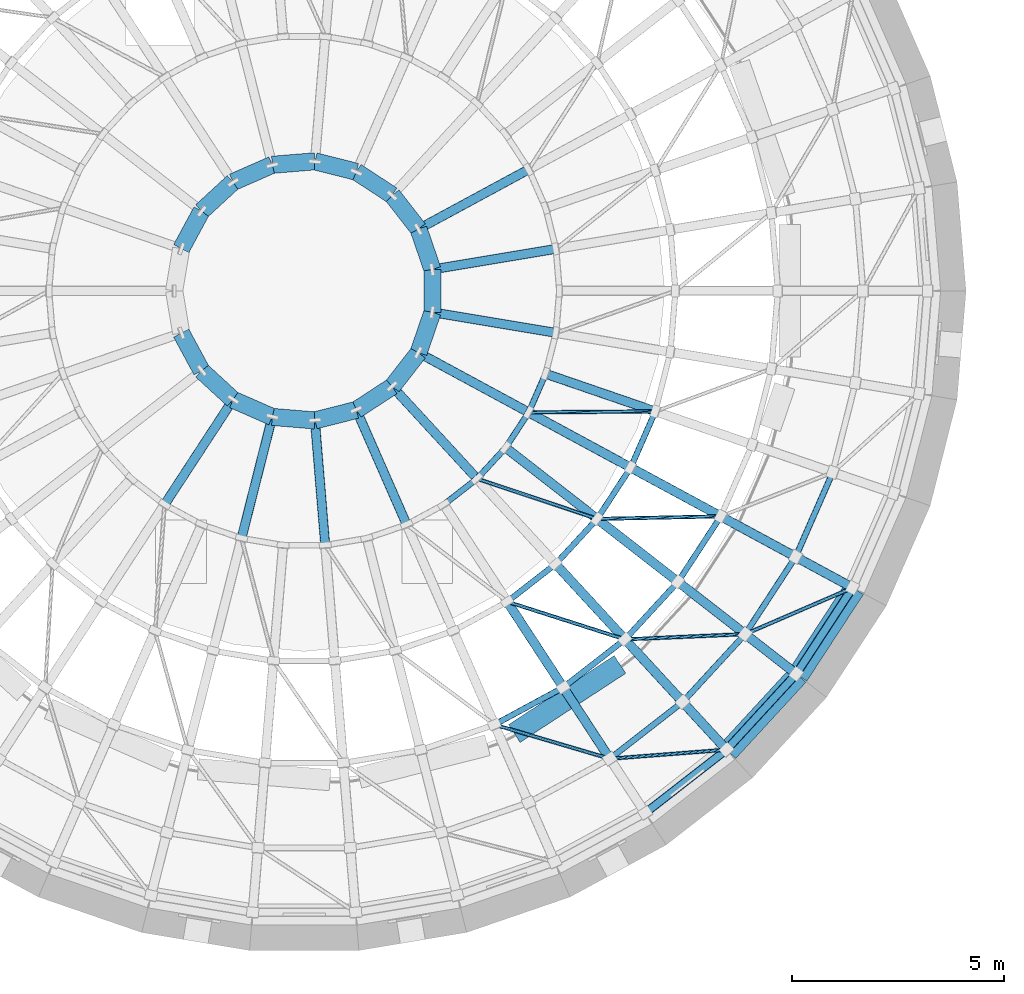
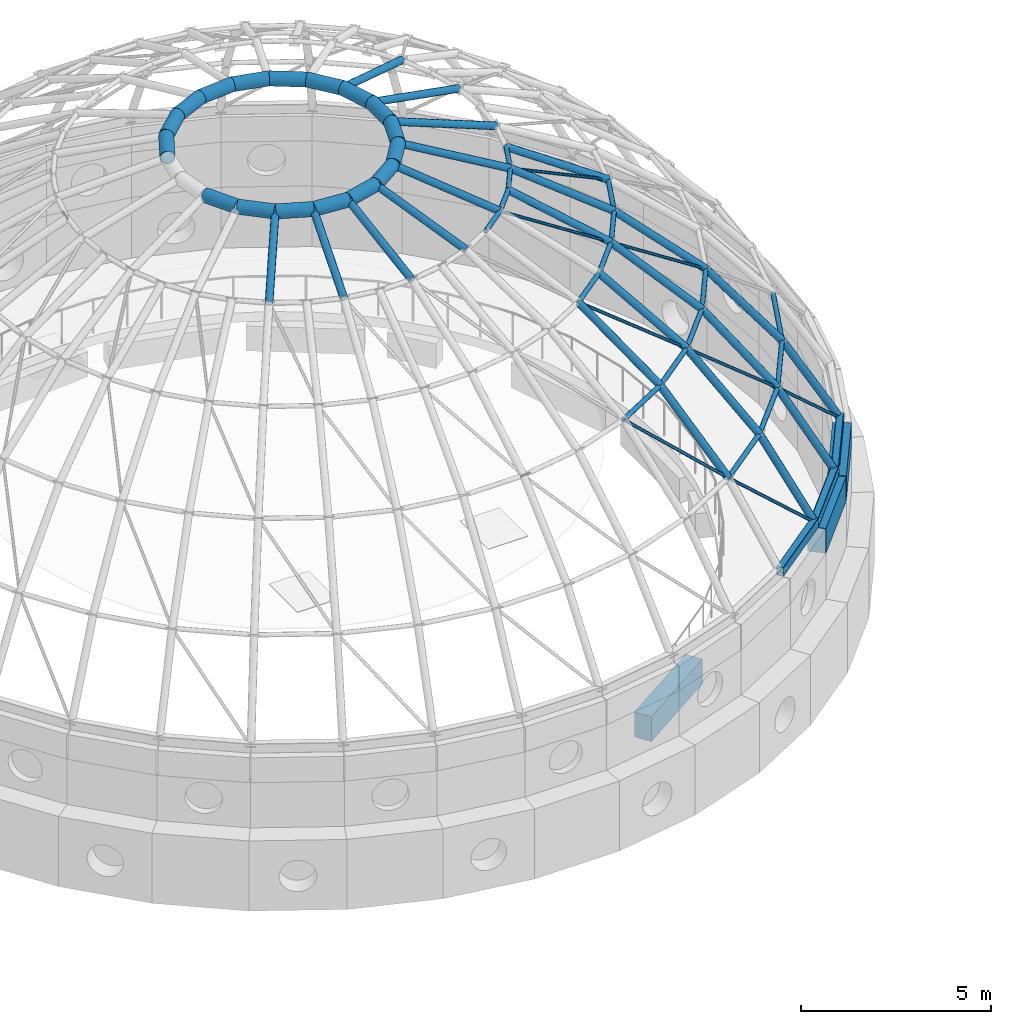
# One storey, part 30 of 98: 67 members, 3 beams.
"""IFC4 building model written with IfcOpenShell, lengths in metres."""

import ifcopenshell
import ifcopenshell.guid

model = None  # the IFC model being written
_history = None  # IfcOwnerHistory: only IFC2X3 demands one
_inside = {}  # id of a spatial element -> (the spatial element, [elements in it])
_under = {}  # id of a project, library or spatial element -> (it, [spatial elements below it])
_declared = {}  # id of a project -> (the project, [libraries it declares])
_typed = {}  # id of a type object -> (the type object, [elements of that type])
_made_of = {}  # id of a material, layer set ... -> (it, [elements and type objects made of it])


def new_model(schema):
    """Start an empty IFC model of exactly this schema.

    Asked for "IFC4X3", IfcOpenShell would pick the latest addendum, in which some entities
    have other attributes; the version numbers below select the first issue.
    IFC2X3 requires an IfcOwnerHistory on every rooted entity: one is made here for all.
    """
    global model, _history
    if schema == "IFC4X3":
        model = ifcopenshell.file(schema_version=(4, 3, 0, 0))
    else:
        model = ifcopenshell.file(schema=schema)
    _inside.clear()
    _under.clear()
    _declared.clear()
    _typed.clear()
    _made_of.clear()
    _history = None
    if model.schema == "IFC2X3":
        org = make("IfcOrganization", Name="unknown")
        user = make(
            "IfcPersonAndOrganization",
            ThePerson=make("IfcPerson", FamilyName="unknown"),
            TheOrganization=org,
        )
        app = make(
            "IfcApplication",
            ApplicationDeveloper=org,
            Version="unknown",
            ApplicationFullName="unknown",
            ApplicationIdentifier="unknown",
        )
        _history = make(
            "IfcOwnerHistory",
            OwningUser=user,
            OwningApplication=app,
            ChangeAction="ADDED",
            CreationDate=0,
        )
    return model


def make(cls, **values):
    """One entity of the class cls with the attributes given. An attribute that is None is left unset."""
    return model.create_entity(
        cls, **{name: value for name, value in values.items() if value is not None}
    )


def rooted(cls, **values):
    """An entity with a GlobalId (a new one), such as an element, a storey or a relation."""
    return make(cls, GlobalId=ifcopenshell.guid.new(), OwnerHistory=_history, **values)


def si_unit(unit_type, name, prefix=None):
    """IfcSIUnit, for example si_unit("LENGTHUNIT", "METRE", prefix="MILLI")."""
    return make("IfcSIUnit", UnitType=unit_type, Prefix=prefix, Name=name)


def assignment(units):
    """IfcUnitAssignment: the units of a project."""
    return None if units is None else make("IfcUnitAssignment", Units=units)


def point(xyz):
    """IfcCartesianPoint."""
    return None if xyz is None else make("IfcCartesianPoint", Coordinates=xyz)


def direction(xyz):
    """IfcDirection."""
    return None if xyz is None else make("IfcDirection", DirectionRatios=xyz)


def frame(location, z_axis=None, x_axis=None):
    """IfcAxis2Placement3D, a coordinate frame: its origin and axes. An axis left out is left unset."""
    return make(
        "IfcAxis2Placement3D",
        Location=point(location),
        Axis=direction(z_axis),
        RefDirection=direction(x_axis),
    )


def frame_2d(location, x_axis=None):
    """IfcAxis2Placement2D, a coordinate frame in the plane: its origin and x axis."""
    return make(
        "IfcAxis2Placement2D", Location=point(location), RefDirection=direction(x_axis)
    )


def origin():
    """The frame at (0, 0, 0) with its axes left unset."""
    return frame((0.0, 0.0, 0.0))


def origin_2d():
    """The frame at (0, 0) in the plane with its x axis left unset."""
    return frame_2d((0.0, 0.0))


def place(relative_to, where):
    """IfcLocalPlacement: puts the frame where relative to a parent placement (None: the world)."""
    return make(
        "IfcLocalPlacement", PlacementRelTo=relative_to, RelativePlacement=where
    )


def context(
    kind, dimensions, precision=None, world=None, true_north=None, identifier=None
):
    """IfcGeometricRepresentationContext, for example the 3D "Model" context."""
    return make(
        "IfcGeometricRepresentationContext",
        ContextIdentifier=identifier,
        ContextType=kind,
        CoordinateSpaceDimension=dimensions,
        Precision=precision,
        WorldCoordinateSystem=world,
        TrueNorth=true_north,
    )


def subcontext(parent, identifier, kind, view, scale=None):
    """IfcGeometricRepresentationSubContext, for example "Body" below "Model"."""
    return make(
        "IfcGeometricRepresentationSubContext",
        ContextIdentifier=identifier,
        ContextType=kind,
        ParentContext=parent,
        TargetScale=scale,
        TargetView=view,
    )


def project(units=None, contexts=None):
    """IfcProject with its units and contexts."""
    return rooted(
        "IfcProject",
        Name="project",
        RepresentationContexts=contexts,
        UnitsInContext=assignment(units),
    )


def spatial(cls, under=None, at=None, **own):
    """A site, building, storey or space (cls), placed at a placement, below another one or the project."""
    s = rooted(cls, ObjectPlacement=at, **own)
    if under is not None:
        _under.setdefault(under.id(), (under, []))[1].append(s)
    return s


def profile(cls, at=None, kind="AREA", **sizes):
    """A parametric profile (cls). Its sizes go by their IFC names, for example OverallWidth=200.0."""
    return make(cls, ProfileType=kind, Position=at, **sizes)


def rectangle(**sizes):
    """IfcRectangleProfileDef."""
    return profile("IfcRectangleProfileDef", **sizes)


def hollow_rectangle(**sizes):
    """IfcRectangleHollowProfileDef."""
    return profile("IfcRectangleHollowProfileDef", **sizes)


def hollow_circle(**sizes):
    """IfcCircleHollowProfileDef."""
    return profile("IfcCircleHollowProfileDef", **sizes)


def extrude(swept, where, along, depth):
    """IfcExtrudedAreaSolid: the profile swept, set in the frame where, extruded along a direction by depth."""
    return make(
        "IfcExtrudedAreaSolid",
        SweptArea=swept,
        Position=where,
        ExtrudedDirection=direction(along),
        Depth=depth,
    )


def shape(context_of_items, identifier, shape_type, items):
    """IfcShapeRepresentation: the items that make up one representation, for example the "Body"."""
    return make(
        "IfcShapeRepresentation",
        ContextOfItems=context_of_items,
        RepresentationIdentifier=identifier,
        RepresentationType=shape_type,
        Items=items,
    )


def material(Name=None, Category=None):
    """IfcMaterial."""
    return make("IfcMaterial", Name=Name, Category=Category)


def material_profile(
    of_material, cross_section, Name=None, Category=None, Priority=None
):
    """IfcMaterialProfile: a cross section and its material."""
    return make(
        "IfcMaterialProfile",
        Name=Name,
        Material=of_material,
        Profile=cross_section,
        Priority=Priority,
        Category=Category,
    )


def profile_set(profiles, Name=None, composite=None):
    """IfcMaterialProfileSet."""
    return make(
        "IfcMaterialProfileSet",
        Name=Name,
        MaterialProfiles=profiles,
        CompositeProfile=composite,
    )


def made_of(thing, what):
    """Note that an element or type object is made of a material, layer set ...; save() writes the relation."""
    if what is not None:
        _made_of.setdefault(what.id(), (what, []))[1].append(thing)
    return thing


def type_object(cls, material=None, **own):
    """A type object (cls), such as IfcWallType, which elements share."""
    return made_of(rooted(cls, **own), material)


def element(
    cls,
    number,
    at=None,
    inside=None,
    cuts=None,
    type_object=None,
    material=None,
    context=None,
    identifier="Body",
    shape_type=None,
    held_by="IfcProductDefinitionShape",
    body=None,
    shapes=None,
    **own,
):
    """One element of the class cls, such as IfcWall. Its Tag is "e" and its number.

    at: its placement. inside: the storey or other place that contains it. cuts: it is an
    opening in that element (IfcRelVoidsElement). A single representation is given by context,
    identifier, shape_type and body (its items); several are given by shapes. held_by: the class
    of the entity that holds the representations. save() writes the other relations.
    """
    e = rooted(cls, Tag="e%d" % number, ObjectPlacement=at, **own)
    if body is not None:
        shapes = [shape(context, identifier, shape_type, body)]
    if shapes is not None:
        e.Representation = make(held_by, Representations=shapes)
    if inside is not None:
        _inside.setdefault(inside.id(), (inside, []))[1].append(e)
    if cuts is not None:
        rooted(
            "IfcRelVoidsElement", RelatingBuildingElement=cuts, RelatedOpeningElement=e
        )
    if type_object is not None:
        _typed.setdefault(type_object.id(), (type_object, []))[1].append(e)
    return made_of(e, material)


def aggregate(whole, parts):
    """IfcRelAggregates: a whole, such as a stair, and the parts it consists of."""
    return rooted("IfcRelAggregates", RelatingObject=whole, RelatedObjects=parts)


def save(model, path):
    """Write the relations noted so far, then the file.

    IfcRelAggregates (storeys below a building ...), IfcRelContainedInSpatialStructure (elements
    in a storey), IfcRelDefinesByType, IfcRelAssociatesMaterial and IfcRelDeclares: one each for
    every whole, place, type object, material and project.
    """
    for whole, parts in _under.values():
        aggregate(whole, parts)
    for where, things in _inside.values():
        rooted(
            "IfcRelContainedInSpatialStructure",
            RelatedElements=things,
            RelatingStructure=where,
        )
    for kind, things in _typed.values():
        rooted("IfcRelDefinesByType", RelatedObjects=things, RelatingType=kind)
    for what, things in _made_of.values():
        rooted("IfcRelAssociatesMaterial", RelatedObjects=things, RelatingMaterial=what)
    for by, libraries in _declared.values():
        rooted("IfcRelDeclares", RelatingContext=by, RelatedDefinitions=libraries)
    model.write(path)


model = new_model("IFC4")

# Units and contexts
model_context = context("Model", 3, precision=1e-05, world=origin(), true_north=direction((0.0, 1.0)))
body_context = subcontext(model_context, "Body", "Model", "MODEL_VIEW")
ifc_project = project(units=[si_unit("LENGTHUNIT", "METRE"), si_unit("AREAUNIT", "SQUARE_METRE"), si_unit("VOLUMEUNIT", "CUBIC_METRE"), si_unit("PLANEANGLEUNIT", "RADIAN"), si_unit("MASSUNIT", "GRAM", prefix="KILO")], contexts=[model_context])

# Site, building, storey
site_placement = place(None, origin())
site = spatial("IfcSite", under=ifc_project, at=site_placement, CompositionType="ELEMENT")
building_placement = place(site_placement, origin())
building = spatial("IfcBuilding", under=site, at=building_placement, Name="Sun Court Science Centre", CompositionType="ELEMENT")
storey_placement = place(building_placement, frame((0.0, 0.0, 15.75)))
storey = spatial("IfcBuildingStorey", under=building, at=storey_placement, Name="L03", CompositionType="ELEMENT", Elevation=15.75)

# Members
ifc_material_1 = material(Name="Steel S355", Category="steel")
ifc_material_profile_1 = material_profile(ifc_material_1, hollow_circle(Radius=0.04443359375, WallThickness=0.0048828125, at=origin_2d()), Name="CHS 88.9x5")
ifc_profile_set_1 = profile_set([ifc_material_profile_1], Name="Steel S355")
member_type_1 = type_object("IfcMemberType", Name="Dome brace CHS 88.9x5", PredefinedType="BRACE", material=ifc_profile_set_1)
for number, where, z_axis, x_axis, name in (
    (1, (55.075439453125, 92.372802734375, 12.534912109375), (0.856626361031, -0.286872285501, -0.428830466966), (0.317552638527, 0.948240645493, 0.0), "Dome brace 2.33"),
    (2, (56.292236328125, 93.93603515625, 12.534912109375), (0.903353525791, 0.006872699435, -0.428841664771), (-0.007607764122, 0.999971060544, 0.0), "Dome brace 2.35"),
):
    element("IfcMember", number, at=place(storey_placement, frame(where, z_axis=z_axis, x_axis=x_axis)), inside=storey, type_object=member_type_1, Name=name, PredefinedType="BRACE", context=body_context, shape_type="SweptSolid", body=[
        extrude(hollow_circle(Radius=0.04443359375, WallThickness=0.0048828125, at=origin_2d()), origin(), (0.0, 0.0, 1.0), 3.3037109375),
    ])
for number, where, z_axis, x_axis, name in (
    (3, (55.7861328125, 89.47412109375, 11.1181640625), (0.796552743794, -0.2549613365, -0.54817738301), (0.30484563745, 0.95240177306, 0.0), "Dome brace 3.32"),
    (4, (57.905517578125, 91.425048828125, 11.1181640625), (0.836187702943, 0.017515452512, -0.548163601829), (-0.020942201258, 0.999780688054, 0.0), "Dome brace 3.34"),
):
    element("IfcMember", number, at=place(storey_placement, frame(where, z_axis=z_axis, x_axis=x_axis)), inside=storey, type_object=member_type_1, Name=name, PredefinedType="BRACE", context=body_context, shape_type="SweptSolid", body=[
        extrude(hollow_circle(Radius=0.04443359375, WallThickness=0.0048828125, at=origin_2d()), origin(), (0.0, 0.0, 1.0), 3.484619140625),
    ])
for number, where, z_axis, x_axis, name in (
    (5, (55.48486328125, 86.575439453125, 9.2080078125), (0.740431066236, -0.218559776083, -0.635604798936), (0.283103164941, 0.959089462981, 0.0), "Dome brace 4.31"),
    (6, (58.561767578125, 88.585693359375, 9.2080078125), (0.771276789923, 0.033701398991, -0.635607055524), (-0.043653941493, 0.999046712317, 0.0), "Dome brace 4.33"),
):
    element("IfcMember", number, at=place(storey_placement, frame(where, z_axis=z_axis, x_axis=x_axis)), inside=storey, type_object=member_type_1, Name=name, PredefinedType="BRACE", context=body_context, shape_type="SweptSolid", body=[
        extrude(hollow_circle(Radius=0.04443359375, WallThickness=0.0048828125, at=origin_2d()), origin(), (0.0, 0.0, 1.0), 3.6728515625),
    ])
for number, where, z_axis, x_axis, name in (
    (7, (58.204345703125, 85.772705078125, 6.87353515625), (0.735727898032, 0.057001282835, -0.674874294823), (-0.077244553566, 0.997012175926, 0.0), "Dome brace 5.32"),
    (8, (61.39453125, 88.70947265625, 6.87353515625), (0.677360967404, 0.292778733164, -0.674879791699), (-0.396758028635, 0.917923235741, 0.0), "Dome brace 5.34"),
):
    element("IfcMember", number, at=place(storey_placement, frame(where, z_axis=z_axis, x_axis=x_axis)), inside=storey, type_object=member_type_1, Name=name, PredefinedType="BRACE", context=body_context, shape_type="SweptSolid", body=[
        extrude(hollow_circle(Radius=0.04443359375, WallThickness=0.0048828125, at=origin_2d()), origin(), (0.0, 0.0, 1.0), 3.739013671875),
    ])
ifc_material_2 = material(Name="Steel S355", Category="steel")
ifc_material_profile_2 = material_profile(ifc_material_2, hollow_circle(Radius=0.203125, WallThickness=0.012451171875, at=origin_2d()), Name="CHS 406.4x12.5")
ifc_profile_set_2 = profile_set([ifc_material_profile_2], Name="Steel S355")
member_type_2 = type_object("IfcMemberType", Name="Dome compression ring CHS 406.4x12.5", PredefinedType="MEMBER", material=ifc_profile_set_2)
for number, where, z_axis, x_axis, name in (
    (9, (54.022705078125, 97.304443359375, 13.406005859375), (-0.324565639132, 0.945863175039, 0.0), (-0.945863175039, -0.324565639132, 0.0), "Dome compression ring 1"),
    (10, (53.6953125, 98.258544921875, 13.406005859375), (-0.614191888411, 0.789156717142, 0.0), (-0.789156717142, -0.614191888411, 0.0), "Dome compression ring 2"),
):
    element("IfcMember", number, at=place(storey_placement, frame(where, z_axis=z_axis, x_axis=x_axis)), inside=storey, type_object=member_type_2, Name=name, PredefinedType="MEMBER", context=body_context, shape_type="SweptSolid", body=[
        extrude(hollow_circle(Radius=0.203125, WallThickness=0.012451171875, at=origin_2d()), origin(), (0.0, 0.0, 1.0), 1.0087890625),
    ])
member_1_placement = place(storey_placement, frame((53.07568359375, 99.0546875, 13.406005859375), z_axis=(-0.837225286377, 0.546858135032, 0.0), x_axis=(-0.546858135032, -0.837225286377, 0.0)))
element("IfcMember", 11, at=member_1_placement, inside=storey, type_object=member_type_2, Name="Dome compression ring 3", PredefinedType="MEMBER", context=body_context, shape_type="SweptSolid", body=[
    extrude(hollow_circle(Radius=0.203125, WallThickness=0.012451171875, at=origin_2d()), origin(), (0.0, 0.0, 1.0), 1.009033203125),
])
member_2_placement = place(storey_placement, frame((52.23095703125, 99.6064453125, 13.406005859375), z_axis=(-0.969412000632, 0.245439143231, 0.0), x_axis=(-0.245439143231, -0.969412000632, 0.0)))
element("IfcMember", 12, at=member_2_placement, inside=storey, type_object=member_type_2, Name="Dome compression ring 4", PredefinedType="MEMBER", context=body_context, shape_type="SweptSolid", body=[
    extrude(hollow_circle(Radius=0.203125, WallThickness=0.012451171875, at=origin_2d()), origin(), (0.0, 0.0, 1.0), 1.008544921875),
])
member_3_placement = place(storey_placement, frame((51.253173828125, 99.85400390625, 13.406005859375), z_axis=(-0.996589016734, -0.082524734023, 0.0), x_axis=(0.082524734023, -0.996589016734, 0.0)))
element("IfcMember", 13, at=member_3_placement, inside=storey, type_object=member_type_2, Name="Dome compression ring 5", PredefinedType="MEMBER", context=body_context, shape_type="SweptSolid", body=[
    extrude(hollow_circle(Radius=0.203125, WallThickness=0.012451171875, at=origin_2d()), origin(), (0.0, 0.0, 1.0), 1.0087890625),
])
member_4_placement = place(storey_placement, frame((50.247802734375, 99.770751953125, 13.406005859375), z_axis=(-0.915796015604, -0.401643695087, 0.0), x_axis=(0.401643695087, -0.915796015604, 0.0)))
element("IfcMember", 14, at=member_4_placement, inside=storey, type_object=member_type_2, Name="Dome compression ring 6", PredefinedType="MEMBER", context=body_context, shape_type="SweptSolid", body=[
    extrude(hollow_circle(Radius=0.203125, WallThickness=0.012451171875, at=origin_2d()), origin(), (0.0, 0.0, 1.0), 1.009033203125),
])
for number, where, z_axis, x_axis, name in (
    (15, (49.32373046875, 99.365478515625, 13.406005859375), (-0.73578627734, -0.677213817105, 0.0), (0.677213817105, -0.73578627734, 0.0), "Dome compression ring 7"),
    (16, (48.58154296875, 98.682373046875, 13.406005859375), (-0.475830863165, -0.879536804039, 0.0), (0.879536804039, -0.475830863165, 0.0), "Dome compression ring 8"),
    (17, (48.1015625, 95.804931640625, 13.406005859375), (0.475830863165, -0.879536804039, 0.0), (0.879536804039, 0.475830863165, 0.0), "Dome compression ring 11"),
    (18, (48.58154296875, 94.917724609375, 13.406005859375), (0.735665683142, -0.67734481813, 0.0), (0.67734481813, 0.735665683142, 0.0), "Dome compression ring 12"),
):
    element("IfcMember", number, at=place(storey_placement, frame(where, z_axis=z_axis, x_axis=x_axis)), inside=storey, type_object=member_type_2, Name=name, PredefinedType="MEMBER", context=body_context, shape_type="SweptSolid", body=[
        extrude(hollow_circle(Radius=0.203125, WallThickness=0.012451171875, at=origin_2d()), origin(), (0.0, 0.0, 1.0), 1.0087890625),
    ])
member_5_placement = place(storey_placement, frame((49.32373046875, 94.234375, 13.406005859375), z_axis=(0.915796015604, -0.401643695087, 0.0), x_axis=(0.401643695087, 0.915796015604, 0.0)))
element("IfcMember", 19, at=member_5_placement, inside=storey, type_object=member_type_2, Name="Dome compression ring 13", PredefinedType="MEMBER", context=body_context, shape_type="SweptSolid", body=[
    extrude(hollow_circle(Radius=0.203125, WallThickness=0.012451171875, at=origin_2d()), origin(), (0.0, 0.0, 1.0), 1.009033203125),
])
for number, where, z_axis, x_axis, name in (
    (20, (50.247802734375, 93.8291015625, 13.406005859375), (0.996589016734, -0.082524734023, 0.0), (0.082524734023, 0.996589016734, 0.0), "Dome compression ring 14"),
    (21, (51.253173828125, 93.745849609375, 13.406005859375), (0.969354385911, 0.245666592185, 0.0), (-0.245666592185, 0.969354385911, 0.0), "Dome compression ring 15"),
):
    element("IfcMember", number, at=place(storey_placement, frame(where, z_axis=z_axis, x_axis=x_axis)), inside=storey, type_object=member_type_2, Name=name, PredefinedType="MEMBER", context=body_context, shape_type="SweptSolid", body=[
        extrude(hollow_circle(Radius=0.203125, WallThickness=0.012451171875, at=origin_2d()), origin(), (0.0, 0.0, 1.0), 1.0087890625),
    ])
member_6_placement = place(storey_placement, frame((52.23095703125, 93.99365234375, 13.406005859375), z_axis=(0.837225286377, 0.546858135032, 0.0), x_axis=(-0.546858135032, 0.837225286377, 0.0)))
element("IfcMember", 22, at=member_6_placement, inside=storey, type_object=member_type_2, Name="Dome compression ring 16", PredefinedType="MEMBER", context=body_context, shape_type="SweptSolid", body=[
    extrude(hollow_circle(Radius=0.203125, WallThickness=0.012451171875, at=origin_2d()), origin(), (0.0, 0.0, 1.0), 1.009033203125),
])
member_7_placement = place(storey_placement, frame((53.07568359375, 94.54541015625, 13.406005859375), z_axis=(0.614309199106, 0.789065401531, 0.0), x_axis=(-0.789065401531, 0.614309199106, 0.0)))
element("IfcMember", 23, at=member_7_placement, inside=storey, type_object=member_type_2, Name="Dome compression ring 17", PredefinedType="MEMBER", context=body_context, shape_type="SweptSolid", body=[
    extrude(hollow_circle(Radius=0.203125, WallThickness=0.012451171875, at=origin_2d()), origin(), (0.0, 0.0, 1.0), 1.008544921875),
])
member_8_placement = place(storey_placement, frame((53.6953125, 95.34130859375, 13.406005859375), z_axis=(0.324491352433, 0.945888662685, 0.0), x_axis=(-0.945888662685, 0.324491352433, 0.0)))
element("IfcMember", 24, at=member_8_placement, inside=storey, type_object=member_type_2, Name="Dome compression ring 18", PredefinedType="MEMBER", context=body_context, shape_type="SweptSolid", body=[
    extrude(hollow_circle(Radius=0.203125, WallThickness=0.012451171875, at=origin_2d()), origin(), (0.0, 0.0, 1.0), 1.009033203125),
])
member_9_placement = place(storey_placement, frame((54.022705078125, 96.295654296875, 13.406005859375), z_axis=(0.0, 1.0, 0.0), x_axis=(-1.0, 0.0, 0.0)))
element("IfcMember", 25, at=member_9_placement, inside=storey, type_object=member_type_2, Name="Dome compression ring 19", PredefinedType="MEMBER", context=body_context, shape_type="SweptSolid", body=[
    extrude(hollow_circle(Radius=0.203125, WallThickness=0.012451171875, at=origin_2d()), origin(), (0.0, 0.0, 1.0), 1.0087890625),
])
ifc_material_3 = material(Name="Steel S355", Category="steel")
ifc_material_profile_3 = material_profile(ifc_material_3, hollow_circle(Radius=0.109619140625, WallThickness=0.010009765625, at=origin_2d()), Name="CHS 219.1x10")
ifc_profile_set_3 = profile_set([ifc_material_profile_3], Name="Steel S355")
member_type_3 = type_object("IfcMemberType", Name="Dome rib CHS 219.1x10", PredefinedType="RAFTER", material=ifc_profile_set_3)
for number, where, z_axis, x_axis, name in (
    (26, (56.935302734375, 97.79052734375, 12.534912109375), (-0.946052218548, -0.157886837144, 0.282943362597), (0.164613501399, -0.986358147509, 0.0), "Dome rib 1"),
    (27, (56.292236328125, 99.6640625, 12.534912109375), (-0.84351740203, -0.456531887138, 0.28294350761), (0.475982147425, -0.879454942185, 0.0), "Dome rib 3"),
    (28, (47.708740234375, 91.762451171875, 12.534912109375), (0.524596243364, 0.802953433721, 0.282956824841), (-0.837166200016, 0.54694858401, 0.0), "Dome rib 25"),
    (29, (49.522705078125, 90.966796875, 12.534912109375), (0.235533580489, 0.929762861163, 0.28295751353), (-0.969379012018, 0.245569401714, 0.0), "Dome rib 27"),
    (30, (51.496826171875, 90.80322265625, 12.534912109375), (-0.079146190604, 0.955860756867, 0.28295952713), (-0.996589526977, -0.082518571967, 0.0), "Dome rib 29"),
):
    element("IfcMember", number, at=place(storey_placement, frame(where, z_axis=z_axis, x_axis=x_axis)), inside=storey, type_object=member_type_3, Name=name, PredefinedType="RAFTER", context=body_context, shape_type="SweptSolid", body=[
        extrude(hollow_circle(Radius=0.109619140625, WallThickness=0.010009765625, at=origin_2d()), origin(), (0.0, 0.0, 1.0), 3.07861328125),
    ])
member_10_placement = place(storey_placement, frame((53.417236328125, 91.289306640625, 12.534912109375), z_axis=(-0.38529477802, 0.878351565369, 0.282924833911), x_axis=(-0.915767934196, -0.401707717997, 0.0)))
element("IfcMember", 31, at=member_10_placement, inside=storey, type_object=member_type_3, Name="Dome rib 31", PredefinedType="RAFTER", context=body_context, shape_type="SweptSolid", body=[
    extrude(hollow_circle(Radius=0.109619140625, WallThickness=0.010009765625, at=origin_2d()), origin(), (0.0, 0.0, 1.0), 3.078857421875),
])
member_11_placement = place(storey_placement, frame((58.204345703125, 85.772705078125, 6.87353515625), z_axis=(-0.35653183368, 0.545820420646, 0.758264544851), x_axis=(-0.837215950947, -0.546872427061, 0.0)))
element("IfcMember", 32, at=member_11_placement, inside=storey, type_object=member_type_3, Name="Dome rib 32", PredefinedType="RAFTER", context=body_context, shape_type="SweptSolid", body=[
    extrude(hollow_circle(Radius=0.109619140625, WallThickness=0.010009765625, at=origin_2d()), origin(), (0.0, 0.0, 1.0), 3.07861328125),
])
member_12_placement = place(storey_placement, frame((57.106689453125, 87.453125, 9.2080078125), z_axis=(-0.428964919787, 0.656493179145, 0.620488358737), x_axis=(-0.837133476349, -0.546998667984, 0.0)))
element("IfcMember", 33, at=member_12_placement, inside=storey, type_object=member_type_3, Name="Dome rib 32", PredefinedType="RAFTER", context=body_context, shape_type="SweptSolid", body=[
    extrude(hollow_circle(Radius=0.109619140625, WallThickness=0.010009765625, at=origin_2d()), origin(), (0.0, 0.0, 1.0), 3.078369140625),
])
member_13_placement = place(storey_placement, frame((60.955322265625, 85.98583984375, 4.35009765625), z_axis=(-0.35065000657, 0.38078140468, 0.855599260602), x_axis=(-0.735612207426, -0.677402893621, 0.0)))
element("IfcMember", 34, at=member_13_placement, inside=storey, type_object=member_type_3, Name="Dome rib 33", PredefinedType="RAFTER", context=body_context, shape_type="SweptSolid", body=[
    extrude(hollow_circle(Radius=0.109619140625, WallThickness=0.010009765625, at=origin_2d()), origin(), (0.0, 0.0, 1.0), 2.94921875),
])
member_14_placement = place(storey_placement, frame((59.921142578125, 87.10888671875, 6.87353515625), z_axis=(-0.441536594172, 0.479679392627, 0.758256629576), x_axis=(-0.735754018948, -0.677248863862, 0.0)))
element("IfcMember", 35, at=member_14_placement, inside=storey, type_object=member_type_3, Name="Dome rib 33", PredefinedType="RAFTER", context=body_context, shape_type="SweptSolid", body=[
    extrude(hollow_circle(Radius=0.109619140625, WallThickness=0.010009765625, at=origin_2d()), origin(), (0.0, 0.0, 1.0), 3.078857421875),
])
member_15_placement = place(storey_placement, frame((58.561767578125, 88.585693359375, 9.2080078125), z_axis=(-0.531122664387, 0.576962428463, 0.62050227358), x_axis=(-0.73572941785, -0.677275589188, 0.0)))
element("IfcMember", 36, at=member_15_placement, inside=storey, type_object=member_type_3, Name="Dome rib 33", PredefinedType="RAFTER", context=body_context, shape_type="SweptSolid", body=[
    extrude(hollow_circle(Radius=0.109619140625, WallThickness=0.010009765625, at=origin_2d()), origin(), (0.0, 0.0, 1.0), 3.078369140625),
])
member_16_placement = place(storey_placement, frame((55.075439453125, 92.372802734375, 12.534912109375), z_axis=(-0.649557290074, 0.705702640015, 0.282947187277), x_axis=(-0.735769499696, -0.6772320454, 0.0)))
element("IfcMember", 37, at=member_16_placement, inside=storey, type_object=member_type_3, Name="Dome rib 33", PredefinedType="RAFTER", context=body_context, shape_type="SweptSolid", body=[
    extrude(hollow_circle(Radius=0.109619140625, WallThickness=0.010009765625, at=origin_2d()), origin(), (0.0, 0.0, 1.0), 3.07861328125),
])
member_17_placement = place(storey_placement, frame((62.599365234375, 87.771728515625, 4.35009765625), z_axis=(-0.408506891912, 0.31794832256, 0.855588092158), x_axis=(-0.614206271874, -0.789145522442, 0.0)))
element("IfcMember", 38, at=member_17_placement, inside=storey, type_object=member_type_3, Name="Dome rib 34", PredefinedType="RAFTER", context=body_context, shape_type="SweptSolid", body=[
    extrude(hollow_circle(Radius=0.109619140625, WallThickness=0.010009765625, at=origin_2d()), origin(), (0.0, 0.0, 1.0), 2.949462890625),
])
member_18_placement = place(storey_placement, frame((61.39453125, 88.70947265625, 6.87353515625), z_axis=(-0.514427468943, 0.400471515055, 0.75827893603), x_axis=(-0.614285827395, -0.789083596498, 0.0)))
element("IfcMember", 39, at=member_18_placement, inside=storey, type_object=member_type_3, Name="Dome rib 34", PredefinedType="RAFTER", context=body_context, shape_type="SweptSolid", body=[
    extrude(hollow_circle(Radius=0.109619140625, WallThickness=0.010009765625, at=origin_2d()), origin(), (0.0, 0.0, 1.0), 3.07861328125),
])
member_19_placement = place(storey_placement, frame((59.810791015625, 89.9423828125, 9.2080078125), z_axis=(-0.618899946723, 0.481622165101, 0.620486056274), x_axis=(-0.614143624893, -0.789194277731, 0.0)))
element("IfcMember", 40, at=member_19_placement, inside=storey, type_object=member_type_3, Name="Dome rib 34", PredefinedType="RAFTER", context=body_context, shape_type="SweptSolid", body=[
    extrude(hollow_circle(Radius=0.109619140625, WallThickness=0.010009765625, at=origin_2d()), origin(), (0.0, 0.0, 1.0), 3.078369140625),
])
member_20_placement = place(storey_placement, frame((57.905517578125, 91.425048828125, 11.1181640625), z_axis=(-0.70060564, 0.545338425159, 0.46017142376), x_axis=(-0.614237379486, -0.789121309839, 0.0)))
element("IfcMember", 41, at=member_20_placement, inside=storey, type_object=member_type_3, Name="Dome rib 34", PredefinedType="RAFTER", context=body_context, shape_type="SweptSolid", body=[
    extrude(hollow_circle(Radius=0.109619140625, WallThickness=0.010009765625, at=origin_2d()), origin(), (0.0, 0.0, 1.0), 3.078857421875),
])
member_21_placement = place(storey_placement, frame((63.92724609375, 89.80419921875, 4.35009765625), z_axis=(-0.455277621953, 0.246346582351, 0.855590818273), x_axis=(-0.475891590602, -0.879503947685, 0.0)))
element("IfcMember", 42, at=member_21_placement, inside=storey, type_object=member_type_3, Name="Dome rib 35", PredefinedType="RAFTER", context=body_context, shape_type="SweptSolid", body=[
    extrude(hollow_circle(Radius=0.109619140625, WallThickness=0.010009765625, at=origin_2d()), origin(), (0.0, 0.0, 1.0), 2.949462890625),
])
member_22_placement = place(storey_placement, frame((62.58447265625, 90.53076171875, 6.87353515625), z_axis=(-0.573346885255, 0.310305167635, 0.758277028604), x_axis=(-0.475977468556, -0.879457474485, 0.0)))
element("IfcMember", 43, at=member_22_placement, inside=storey, type_object=member_type_3, Name="Dome rib 35", PredefinedType="RAFTER", context=body_context, shape_type="SweptSolid", body=[
    extrude(hollow_circle(Radius=0.109619140625, WallThickness=0.010009765625, at=origin_2d()), origin(), (0.0, 0.0, 1.0), 3.07861328125),
])
member_23_placement = place(storey_placement, frame((60.8193359375, 91.486083984375, 9.2080078125), z_axis=(-0.689718653695, 0.37321099049, 0.620485080661), x_axis=(-0.475901944609, -0.879498345148, 0.0)))
element("IfcMember", 44, at=member_23_placement, inside=storey, type_object=member_type_3, Name="Dome rib 35", PredefinedType="RAFTER", context=body_context, shape_type="SweptSolid", body=[
    extrude(hollow_circle(Radius=0.109619140625, WallThickness=0.010009765625, at=origin_2d()), origin(), (0.0, 0.0, 1.0), 3.078369140625),
])
for number, where, z_axis, x_axis, name in (
    (45, (58.696044921875, 92.635009765625, 11.1181640625), (-0.780797426189, 0.422594910031, 0.460183573449), (-0.475989622819, -0.87945089628, 0.0), "Dome rib 35"),
    (46, (56.292236328125, 93.93603515625, 12.534912109375), (-0.843547938998, 0.456469111298, 0.282953750714), (-0.475918196437, -0.87948955099, 0.0), "Dome rib 35"),
    (47, (59.276611328125, 93.958740234375, 11.1181640625), (-0.839722834307, 0.288260695316, 0.460186193926), (-0.324682825787, -0.945822955229, 0.0), "Dome rib 36"),
    (48, (56.935302734375, 95.8095703125, 12.534912109375), (-0.946052218548, 0.157886837144, 0.282943362597), (-0.164613501399, -0.986358147509, 0.0), "Dome rib 37"),
):
    element("IfcMember", number, at=place(storey_placement, frame(where, z_axis=z_axis, x_axis=x_axis)), inside=storey, type_object=member_type_3, Name=name, PredefinedType="RAFTER", context=body_context, shape_type="SweptSolid", body=[
        extrude(hollow_circle(Radius=0.109619140625, WallThickness=0.010009765625, at=origin_2d()), origin(), (0.0, 0.0, 1.0), 3.07861328125),
    ])
ifc_material_4 = material(Name="Steel S355", Category="steel")
ifc_material_profile_4 = material_profile(ifc_material_4, hollow_circle(Radius=0.06982421875, WallThickness=0.00634765625, at=origin_2d()), Name="CHS 139.7x6.3")
ifc_profile_set_4 = profile_set([ifc_material_profile_4], Name="Steel S355")
member_type_4 = type_object("IfcMemberType", Name="Dome ring CHS 139.7x6.3", PredefinedType="MEMBER", material=ifc_profile_set_4)
member_24_placement = place(storey_placement, frame((55.48486328125, 86.575439453125, 9.2080078125), z_axis=(0.879474406293, 0.475946182541, 0.0), x_axis=(-0.475946182541, 0.879474406293, 0.0)))
element("IfcMember", 49, at=member_24_placement, inside=storey, type_object=member_type_4, Name="Dome ring 4 chord 31", PredefinedType="MEMBER", context=body_context, shape_type="SweptSolid", body=[
    extrude(hollow_circle(Radius=0.06982421875, WallThickness=0.00634765625, at=origin_2d()), origin(), (0.0, 0.0, 1.0), 1.843994140625),
])
member_25_placement = place(storey_placement, frame((54.291259765625, 91.762451171875, 12.534912109375), z_axis=(0.78914050331, 0.614212720509, 0.0), x_axis=(-0.614212720509, 0.78914050331, 0.0)))
element("IfcMember", 50, at=member_25_placement, inside=storey, type_object=member_type_4, Name="Dome ring 2 chord 32", PredefinedType="MEMBER", context=body_context, shape_type="SweptSolid", body=[
    extrude(hollow_circle(Radius=0.06982421875, WallThickness=0.00634765625, at=origin_2d()), origin(), (0.0, 0.0, 1.0), 0.99365234375),
])
member_26_placement = place(storey_placement, frame((55.7861328125, 89.47412109375, 11.1181640625), z_axis=(0.789170274405, 0.614174468694, 0.0), x_axis=(-0.614174468694, 0.789170274405, 0.0)))
element("IfcMember", 51, at=member_26_placement, inside=storey, type_object=member_type_4, Name="Dome ring 3 chord 32", PredefinedType="MEMBER", context=body_context, shape_type="SweptSolid", body=[
    extrude(hollow_circle(Radius=0.06982421875, WallThickness=0.00634765625, at=origin_2d()), origin(), (0.0, 0.0, 1.0), 1.4453125),
])
member_27_placement = place(storey_placement, frame((57.106689453125, 87.453125, 9.2080078125), z_axis=(0.78913115247, 0.61422473428, 0.0), x_axis=(-0.61422473428, 0.78913115247, 0.0)))
element("IfcMember", 52, at=member_27_placement, inside=storey, type_object=member_type_4, Name="Dome ring 4 chord 32", PredefinedType="MEMBER", context=body_context, shape_type="SweptSolid", body=[
    extrude(hollow_circle(Radius=0.06982421875, WallThickness=0.00634765625, at=origin_2d()), origin(), (0.0, 0.0, 1.0), 1.843994140625),
])
member_28_placement = place(storey_placement, frame((58.204345703125, 85.772705078125, 6.87353515625), z_axis=(0.789152763941, 0.614196967726, 0.0), x_axis=(-0.614196967726, 0.789152763941, 0.0)))
element("IfcMember", 53, at=member_28_placement, inside=storey, type_object=member_type_4, Name="Dome ring 5 chord 32", PredefinedType="MEMBER", context=body_context, shape_type="SweptSolid", body=[
    extrude(hollow_circle(Radius=0.06982421875, WallThickness=0.00634765625, at=origin_2d()), origin(), (0.0, 0.0, 1.0), 2.175537109375),
])
member_29_placement = place(storey_placement, frame((55.075439453125, 92.372802734375, 12.534912109375), z_axis=(0.677269374655, 0.735735138589, 0.0), x_axis=(-0.735735138589, 0.677269374655, 0.0)))
element("IfcMember", 54, at=member_29_placement, inside=storey, type_object=member_type_4, Name="Dome ring 2 chord 33", PredefinedType="MEMBER", context=body_context, shape_type="SweptSolid", body=[
    extrude(hollow_circle(Radius=0.06982421875, WallThickness=0.00634765625, at=origin_2d()), origin(), (0.0, 0.0, 1.0), 0.993896484375),
])
member_30_placement = place(storey_placement, frame((56.9267578125, 90.36181640625, 11.1181640625), z_axis=(0.677276091985, 0.735728955, 0.0), x_axis=(-0.735728955, 0.677276091985, 0.0)))
element("IfcMember", 55, at=member_30_placement, inside=storey, type_object=member_type_4, Name="Dome ring 3 chord 33", PredefinedType="MEMBER", context=body_context, shape_type="SweptSolid", body=[
    extrude(hollow_circle(Radius=0.06982421875, WallThickness=0.00634765625, at=origin_2d()), origin(), (0.0, 0.0, 1.0), 1.445068359375),
])
member_31_placement = place(storey_placement, frame((58.561767578125, 88.585693359375, 9.2080078125), z_axis=(0.677311749809, 0.735696128555, 0.0), x_axis=(-0.735696128555, 0.677311749809, 0.0)))
element("IfcMember", 56, at=member_31_placement, inside=storey, type_object=member_type_4, Name="Dome ring 4 chord 33", PredefinedType="MEMBER", context=body_context, shape_type="SweptSolid", body=[
    extrude(hollow_circle(Radius=0.06982421875, WallThickness=0.00634765625, at=origin_2d()), origin(), (0.0, 0.0, 1.0), 1.843994140625),
])
member_32_placement = place(storey_placement, frame((59.921142578125, 87.10888671875, 6.87353515625), z_axis=(0.677268015701, 0.73573638955, 0.0), x_axis=(-0.73573638955, 0.677268015701, 0.0)))
element("IfcMember", 57, at=member_32_placement, inside=storey, type_object=member_type_4, Name="Dome ring 5 chord 33", PredefinedType="MEMBER", context=body_context, shape_type="SweptSolid", body=[
    extrude(hollow_circle(Radius=0.06982421875, WallThickness=0.00634765625, at=origin_2d()), origin(), (0.0, 0.0, 1.0), 2.175537109375),
])
member_33_placement = place(storey_placement, frame((55.74853515625, 93.10400390625, 12.534912109375), z_axis=(0.547024328254, 0.837116708887, 0.0), x_axis=(-0.837116708887, 0.547024328254, 0.0)))
element("IfcMember", 58, at=member_33_placement, inside=storey, type_object=member_type_4, Name="Dome ring 2 chord 34", PredefinedType="MEMBER", context=body_context, shape_type="SweptSolid", body=[
    extrude(hollow_circle(Radius=0.06982421875, WallThickness=0.00634765625, at=origin_2d()), origin(), (0.0, 0.0, 1.0), 0.993896484375),
])
member_34_placement = place(storey_placement, frame((57.905517578125, 91.425048828125, 11.1181640625), z_axis=(0.54695805486, 0.837160012318, 0.0), x_axis=(-0.837160012318, 0.54695805486, 0.0)))
element("IfcMember", 59, at=member_34_placement, inside=storey, type_object=member_type_4, Name="Dome ring 3 chord 34", PredefinedType="MEMBER", context=body_context, shape_type="SweptSolid", body=[
    extrude(hollow_circle(Radius=0.06982421875, WallThickness=0.00634765625, at=origin_2d()), origin(), (0.0, 0.0, 1.0), 1.4453125),
])
member_35_placement = place(storey_placement, frame((59.810791015625, 89.9423828125, 9.2080078125), z_axis=(0.546946109542, 0.837167816663, 0.0), x_axis=(-0.837167816663, 0.546946109542, 0.0)))
element("IfcMember", 60, at=member_35_placement, inside=storey, type_object=member_type_4, Name="Dome ring 4 chord 34", PredefinedType="MEMBER", context=body_context, shape_type="SweptSolid", body=[
    extrude(hollow_circle(Radius=0.06982421875, WallThickness=0.00634765625, at=origin_2d()), origin(), (0.0, 0.0, 1.0), 1.843994140625),
])
member_36_placement = place(storey_placement, frame((61.39453125, 88.70947265625, 6.87353515625), z_axis=(0.546959070488, 0.837159348757, 0.0), x_axis=(-0.837159348757, 0.546959070488, 0.0)))
element("IfcMember", 61, at=member_36_placement, inside=storey, type_object=member_type_4, Name="Dome ring 5 chord 34", PredefinedType="MEMBER", context=body_context, shape_type="SweptSolid", body=[
    extrude(hollow_circle(Radius=0.06982421875, WallThickness=0.00634765625, at=origin_2d()), origin(), (0.0, 0.0, 1.0), 2.175537109375),
])
member_37_placement = place(storey_placement, frame((56.292236328125, 93.93603515625, 12.534912109375), z_axis=(0.401643422927, 0.915796134967, 0.0), x_axis=(-0.915796134967, 0.401643422927, 0.0)))
element("IfcMember", 62, at=member_37_placement, inside=storey, type_object=member_type_4, Name="Dome ring 2 chord 35", PredefinedType="MEMBER", context=body_context, shape_type="SweptSolid", body=[
    extrude(hollow_circle(Radius=0.06982421875, WallThickness=0.00634765625, at=origin_2d()), origin(), (0.0, 0.0, 1.0), 0.993896484375),
])
member_38_placement = place(storey_placement, frame((58.696044921875, 92.635009765625, 11.1181640625), z_axis=(0.401651554456, 0.915792568655, 0.0), x_axis=(-0.915792568655, 0.401651554456, 0.0)))
element("IfcMember", 63, at=member_38_placement, inside=storey, type_object=member_type_4, Name="Dome ring 3 chord 35", PredefinedType="MEMBER", context=body_context, shape_type="SweptSolid", body=[
    extrude(hollow_circle(Radius=0.06982421875, WallThickness=0.00634765625, at=origin_2d()), origin(), (0.0, 0.0, 1.0), 1.445556640625),
])
member_39_placement = place(storey_placement, frame((62.58447265625, 90.53076171875, 6.87353515625), z_axis=(0.401666448901, 0.915786036052, 0.0), x_axis=(-0.915786036052, 0.401666448901, 0.0)))
element("IfcMember", 64, at=member_39_placement, inside=storey, type_object=member_type_4, Name="Dome ring 5 chord 35", PredefinedType="MEMBER", context=body_context, shape_type="SweptSolid", body=[
    extrude(hollow_circle(Radius=0.06982421875, WallThickness=0.00634765625, at=origin_2d()), origin(), (0.0, 0.0, 1.0), 2.17529296875),
])
ifc_material_5 = material(Name="Steel S355", Category="steel")
ifc_material_profile_5 = material_profile(ifc_material_5, hollow_rectangle(XDim=0.199951171875, YDim=0.300048828125, WallThickness=0.012451171875, InnerFilletRadius=0.012451171875, OuterFilletRadius=0.018798828125, at=origin_2d()), Name="RHS 300x200x12.5")
ifc_profile_set_5 = profile_set([ifc_material_profile_5], Name="Steel S355")
member_type_5 = type_object("IfcMemberType", Name="Dome tension ring RHS 300x200x12.5", PredefinedType="MEMBER", material=ifc_profile_set_5)
member_40_placement = place(storey_placement, frame((59.03955078125, 84.49462890625, 4.35009765625), z_axis=(0.789119318154, 0.614239938229, 0.0), x_axis=(-0.614239938229, 0.789119318154, 0.0)))
element("IfcMember", 65, at=member_40_placement, inside=storey, type_object=member_type_5, Name="Dome tension ring 32", PredefinedType="MEMBER", context=body_context, shape_type="SweptSolid", body=[
    extrude(hollow_rectangle(XDim=0.199951171875, YDim=0.300048828125, WallThickness=0.012451171875, InnerFilletRadius=0.012451171875, OuterFilletRadius=0.018798828125, at=origin_2d()), origin(), (0.0, 0.0, 1.0), 2.427734375),
])
member_41_placement = place(storey_placement, frame((60.955322265625, 85.98583984375, 4.35009765625), z_axis=(0.677285280195, 0.735720496677, 0.0), x_axis=(-0.735720496677, 0.677285280195, 0.0)))
element("IfcMember", 66, at=member_41_placement, inside=storey, type_object=member_type_5, Name="Dome tension ring 33", PredefinedType="MEMBER", context=body_context, shape_type="SweptSolid", body=[
    extrude(hollow_rectangle(XDim=0.199951171875, YDim=0.300048828125, WallThickness=0.012451171875, InnerFilletRadius=0.012451171875, OuterFilletRadius=0.018798828125, at=origin_2d()), origin(), (0.0, 0.0, 1.0), 2.427490234375),
])
member_42_placement = place(storey_placement, frame((62.599365234375, 87.771728515625, 4.35009765625), z_axis=(0.54694858401, 0.837166200016, 0.0), x_axis=(-0.837166200016, 0.54694858401, 0.0)))
element("IfcMember", 67, at=member_42_placement, inside=storey, type_object=member_type_5, Name="Dome tension ring 34", PredefinedType="MEMBER", context=body_context, shape_type="SweptSolid", body=[
    extrude(hollow_rectangle(XDim=0.199951171875, YDim=0.300048828125, WallThickness=0.012451171875, InnerFilletRadius=0.012451171875, OuterFilletRadius=0.018798828125, at=origin_2d()), origin(), (0.0, 0.0, 1.0), 2.427734375),
])

# Beams
ifc_material_6 = material(Name="Concrete C25/30", Category="concrete")
ifc_material_profile_6 = material_profile(ifc_material_6, rectangle(XDim=0.5, YDim=0.800048828125, at=origin_2d()), Name="RC 500x800")
ifc_profile_set_6 = profile_set([ifc_material_profile_6], Name="Concrete C25/30")
beam_type = type_object("IfcBeamType", Name="RC girder 500x800", PredefinedType="BEAM", material=ifc_profile_set_6)
for number, where, z_axis, x_axis, name in (
    (68, (60.9892578125, 85.94873046875, 3.800048828125), (0.677288810182, 0.735717247047, 0.0), (-0.735717247047, 0.677288810182, 0.0), "Drum ring beam 33"),
    (69, (62.63916015625, 87.740966796875, 3.800048828125), (0.546927979397, 0.837179661335, 0.0), (-0.837179661335, 0.546927979397, 0.0), "Drum ring beam 34"),
):
    element("IfcBeam", number, at=place(storey_placement, frame(where, z_axis=z_axis, x_axis=x_axis)), inside=storey, type_object=beam_type, Name=name, PredefinedType="BEAM", context=body_context, shape_type="SweptSolid", body=[
        extrude(rectangle(XDim=0.5, YDim=0.800048828125, at=origin_2d()), origin(), (0.0, 0.0, 1.0), 2.43603515625),
    ])
beam_placement = place(storey_placement, frame((55.95263671875, 86.368408203125, -0.699951171875), z_axis=(0.837166200016, 0.54694858401, 0.0), x_axis=(-0.54694858401, 0.837166200016, 0.0)))
element("IfcBeam", 70, at=beam_placement, inside=storey, type_object=beam_type, Name="Gallery ring beam", PredefinedType="BEAM", context=body_context, shape_type="SweptSolid", body=[
    extrude(rectangle(XDim=0.5, YDim=0.800048828125, at=origin_2d()), origin(), (0.0, 0.0, 1.0), 2.974609375),
])

save(model, "model.ifc")
